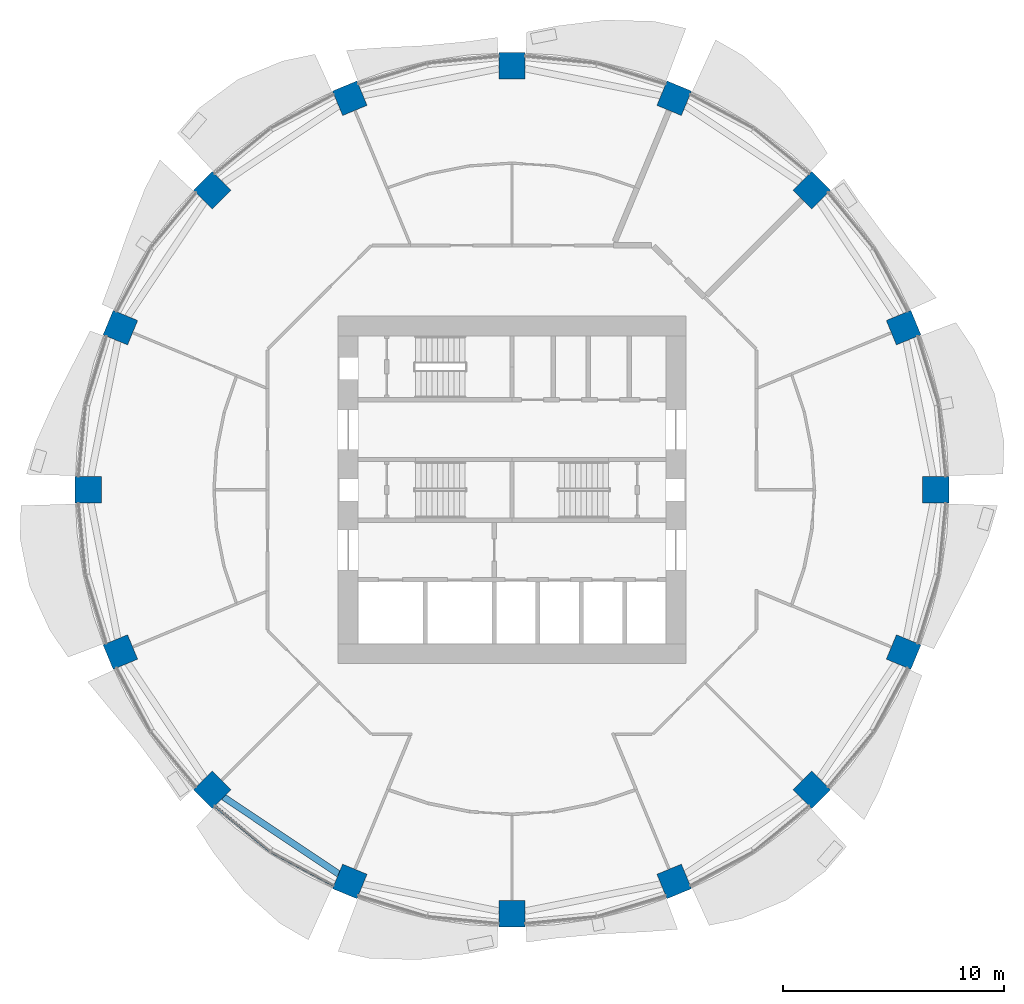
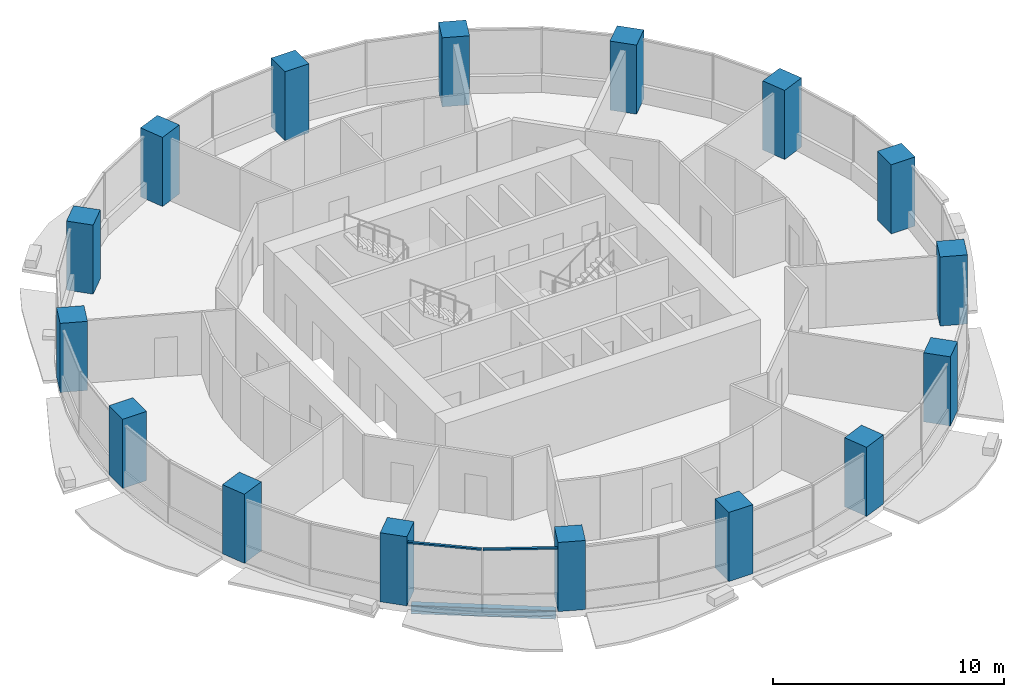
# One storey, part 1 of 15: 16 columns, 2 members, 1 beam, 1 element without a shape of its own.
"""IFC4 building model written with IfcOpenShell, lengths in metres."""

from ifc_helpers import new_model, si_unit, direction, frame, origin, origin_2d, place, context, subcontext, project, spatial, rectangle, i_section, extrude, material, material_profile, profile_set, type_object, element, aggregate, save


model = new_model("IFC4")

# Units and contexts
model_context = context("Model", 3, precision=1e-05, world=origin(), true_north=direction((0.0, 1.0)))
body_context = subcontext(model_context, "Body", "Model", "MODEL_VIEW")
ifc_project = project(units=[si_unit("LENGTHUNIT", "METRE"), si_unit("AREAUNIT", "SQUARE_METRE"), si_unit("VOLUMEUNIT", "CUBIC_METRE"), si_unit("PLANEANGLEUNIT", "RADIAN"), si_unit("MASSUNIT", "GRAM", prefix="KILO")], contexts=[model_context])

# Site, building, storey
site_placement = place(None, origin())
site = spatial("IfcSite", under=ifc_project, at=site_placement, CompositionType="ELEMENT")
building_placement = place(site_placement, origin())
building = spatial("IfcBuilding", under=site, at=building_placement, Name="Polderwave Tower", CompositionType="ELEMENT")
storey_placement = place(building_placement, frame((0.0, 0.0, 33.5)))
storey = spatial("IfcBuildingStorey", under=building, at=storey_placement, Name="L08", CompositionType="ELEMENT", Elevation=33.5)

# Columns
ifc_material_1 = material(Name="Concrete C70/85", Category="concrete")
ifc_material_profile_1 = material_profile(ifc_material_1, rectangle(XDim=1.199951171875, YDim=1.199951171875, at=origin_2d()), Name="RC 1200x1200")
ifc_profile_set_1 = profile_set([ifc_material_profile_1], Name="Concrete C70/85")
column_type = type_object("IfcColumnType", Name="RC COLUMN 1200x1200 C70/85", PredefinedType="COLUMN", material=ifc_profile_set_1)
for number, where, z_axis, x_axis, name in (
    (1, (19.199951171875, 0.0, 0.0), (0.0, 0.0, 1.0), (1.0, 0.0, 0.0), "Ring column 01"),
    (2, (17.738525390625, 7.347412109375, 0.0), (0.0, 0.0, 1.0), (0.923879532511, 0.382683432365, 0.0), "Ring column 02"),
    (3, (13.576416015625, 13.576416015625, 0.0), (0.0, 0.0, 1.0), (0.707106781187, 0.707106781187, 0.0), "Ring column 03"),
    (4, (7.347412109375, 17.738525390625, 0.0), (0.0, 0.0, 1.0), (0.382683432365, 0.923879532511, 0.0), "Ring column 04"),
    (5, (0.0, 19.199951171875, 0.0), (0.0, 0.0, 1.0), (0.0, 1.0, 0.0), "Ring column 05"),
    (6, (-7.347412109375, 17.738525390625, 0.0), (0.0, 0.0, 1.0), (-0.382683432365, 0.923879532511, 0.0), "Ring column 06"),
    (7, (-13.576416015625, 13.576416015625, 0.0), (0.0, 0.0, 1.0), (-0.707106781187, 0.707106781187, 0.0), "Ring column 07"),
    (8, (-17.738525390625, 7.347412109375, 0.0), (0.0, 0.0, 1.0), (-0.923879532511, 0.382683432365, 0.0), "Ring column 08"),
    (9, (-19.199951171875, 0.0, 0.0), (0.0, 0.0, 1.0), (-1.0, 0.0, 0.0), "Ring column 09"),
    (10, (-17.738525390625, -7.347412109375, 0.0), (0.0, 0.0, 1.0), (-0.923879532511, -0.382683432365, 0.0), "Ring column 10"),
    (11, (-13.576416015625, -13.576416015625, 0.0), (0.0, 0.0, 1.0), (-0.707106781187, -0.707106781187, 0.0), "Ring column 11"),
    (12, (-7.347412109375, -17.738525390625, 0.0), (0.0, 0.0, 1.0), (-0.382683432365, -0.923879532511, 0.0), "Ring column 12"),
    (13, (0.0, -19.199951171875, 0.0), (0.0, 0.0, 1.0), (0.0, -1.0, 0.0), "Ring column 13"),
    (14, (7.347412109375, -17.738525390625, 0.0), (0.0, 0.0, 1.0), (0.382683432365, -0.923879532511, 0.0), "Ring column 14"),
    (15, (13.576416015625, -13.576416015625, 0.0), (0.0, 0.0, 1.0), (0.707106781187, -0.707106781187, 0.0), "Ring column 15"),
    (16, (17.738525390625, -7.347412109375, 0.0), (0.0, 0.0, 1.0), (0.923879532511, -0.382683432365, 0.0), "Ring column 16"),
):
    element("IfcColumn", number, at=place(storey_placement, frame(where, z_axis=z_axis, x_axis=x_axis)), inside=storey, type_object=column_type, Name=name, PredefinedType="COLUMN", context=body_context, shape_type="SweptSolid", body=[
        extrude(rectangle(XDim=1.199951171875, YDim=1.199951171875, at=origin_2d()), origin(), (0.0, 0.0, 1.0), 3.64990234375),
    ])

# Curtain wall, members
ifc_material_2 = material(Name="Aluminium 6063-T6 and glass", Category="aluminium")
curtain_wall_type = type_object("IfcCurtainWallType", Name="Growing floor ribbon glazing wall", PredefinedType="NOTDEFINED", material=ifc_material_2)
curtain_wall_placement = place(storey_placement, origin())
curtain_wall = element("IfcCurtainWall", 17, at=curtain_wall_placement, inside=storey, type_object=curtain_wall_type, Name="CW2 L08 10", PredefinedType="NOTDEFINED")
ifc_material_3 = material(Name="Aluminium 6063-T6", Category="aluminium")
ifc_material_profile_2 = material_profile(ifc_material_3, rectangle(XDim=0.1201171875, YDim=0.080078125, at=origin_2d()), Name="AL 80x120")
ifc_profile_set_2 = profile_set([ifc_material_profile_2], Name="Aluminium 6063-T6")
member_type = type_object("IfcMemberType", Name="Growing floor ribbon glazing transom 80x120", PredefinedType="USERDEFINED", material=ifc_profile_set_2)
member_1_placement = place(storey_placement, frame((-13.464111328125, -14.31201171875, 3.260009765625), z_axis=(0.772891772245, -0.634537869946, 0.0), x_axis=(0.634537869946, 0.772891772245, 0.0)))
member_1 = element("IfcMember", 18, at=member_1_placement, type_object=member_type, Name="CW2 transom 1", ObjectType="TRANSOM", PredefinedType="USERDEFINED", context=body_context, shape_type="SweptSolid", body=[
    extrude(rectangle(XDim=0.1201171875, YDim=0.080078125, at=origin_2d()), origin(), (0.0, 0.0, 1.0), 3.229248046875),
])
member_2_placement = place(storey_placement, frame((-10.91845703125, -16.39404296875, 3.260009765625), z_axis=(0.88192137056, -0.471396538118, 0.0), x_axis=(0.471396538118, 0.88192137056, 0.0)))
member_2 = element("IfcMember", 19, at=member_2_placement, type_object=member_type, Name="CW2 transom 2", ObjectType="TRANSOM", PredefinedType="USERDEFINED", context=body_context, shape_type="SweptSolid", body=[
    extrude(rectangle(XDim=0.1201171875, YDim=0.080078125, at=origin_2d()), origin(), (0.0, 0.0, 1.0), 3.228759765625),
])
aggregate(curtain_wall, [member_1, member_2])

# Beam
ifc_material_4 = material(Name="Steel S355", Category="steel")
ifc_material_profile_3 = material_profile(ifc_material_4, i_section(OverallWidth=0.300048828125, OverallDepth=0.449951171875, WebThickness=0.013916015625, FlangeThickness=0.02587890625, at=origin_2d()), Name="HE 450 B")
ifc_profile_set_3 = profile_set([ifc_material_profile_3], Name="Steel S355")
beam_type = type_object("IfcBeamType", Name="RING BEAM HE 450 B", PredefinedType="BEAM", material=ifc_profile_set_3)
beam_placement = place(storey_placement, frame((-13.06787109375, -13.916259765625, -0.574951171875), z_axis=(0.831462584076, -0.555580751359, 0.0), x_axis=(0.555580751359, 0.831462584076, 0.0)))
element("IfcBeam", 20, at=beam_placement, inside=storey, type_object=beam_type, Name="ST-RB-L08-10", PredefinedType="BEAM", context=body_context, shape_type="SweptSolid", body=[
    extrude(i_section(OverallWidth=0.300048828125, OverallDepth=0.449951171875, WebThickness=0.013916015625, FlangeThickness=0.02587890625, at=origin_2d()), origin(), (0.0, 0.0, 1.0), 6.26806640625),
])

save(model, "model.ifc")
